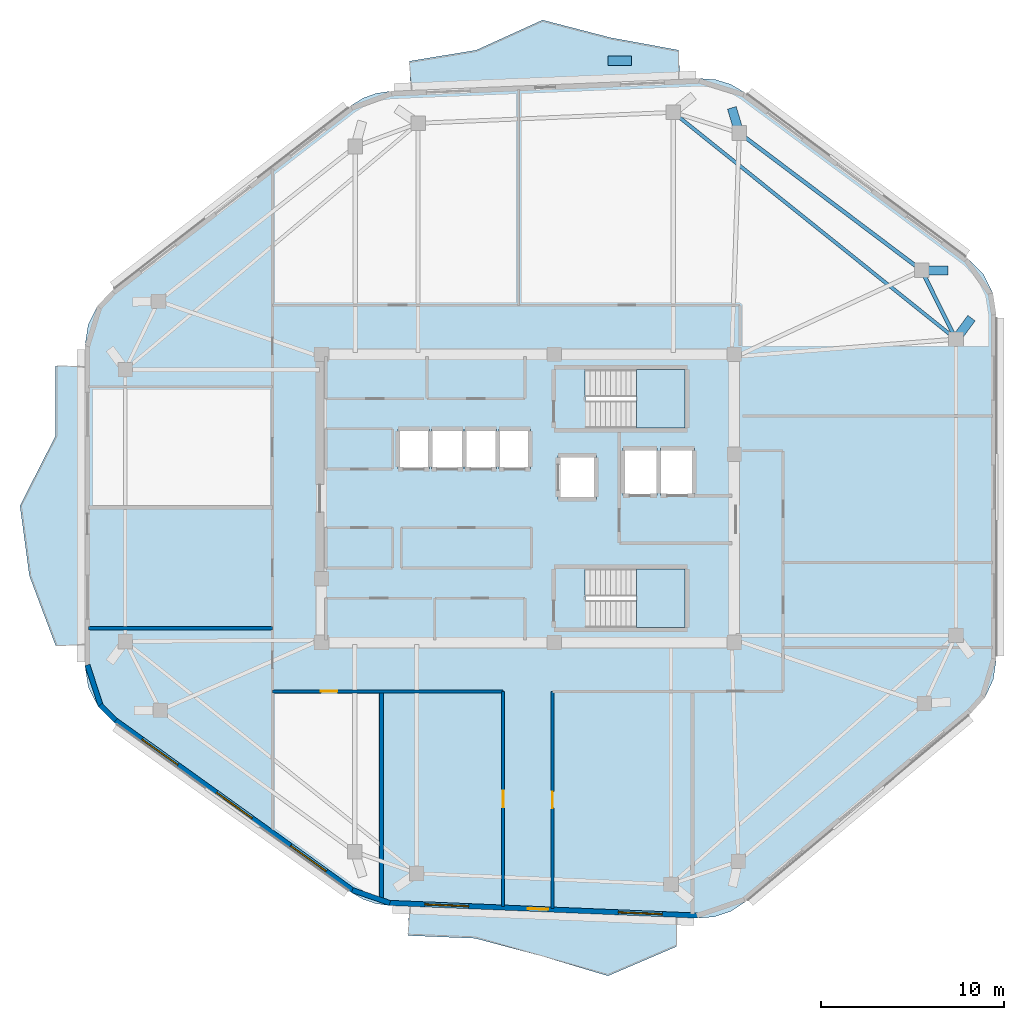
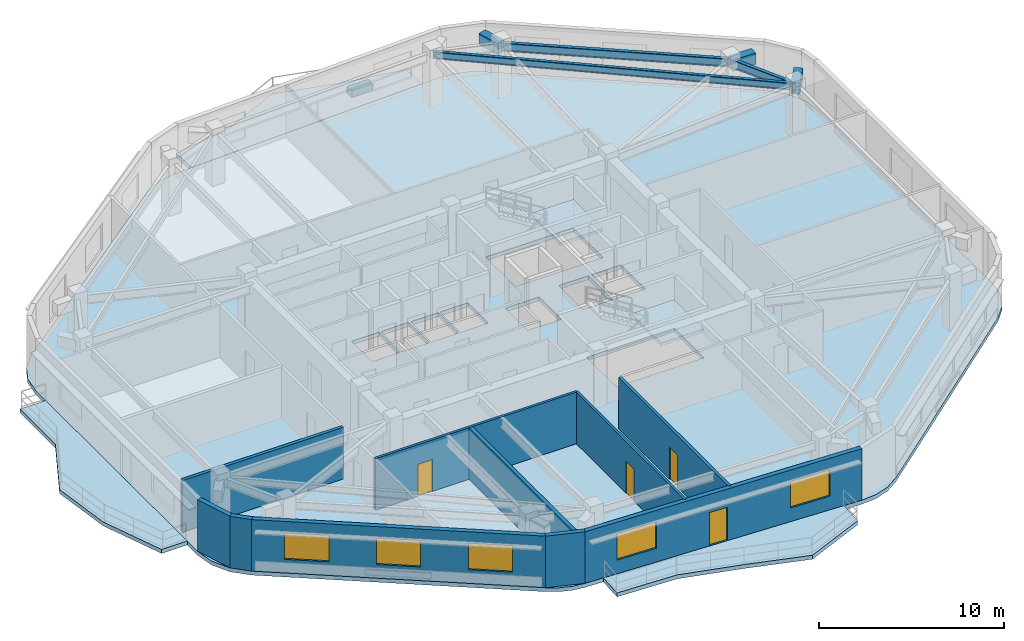
# One storey, part 2 of 9: 10 walls, 6 beams, 6 slabs, 5 windows, 4 doors, 1 plate, 9 openings, 2 elements without a shape of their own.
"""IFC4 building model written with IfcOpenShell, lengths in metres."""

from ifc_helpers import new_model, si_unit, direction, frame, frame_2d, origin, origin_2d, place, context, subcontext, project, spatial, polyline, rectangle, i_section, outline, extrude, material, layer, layer_set, material_profile, profile_set, type_object, element, fill, aggregate, save


model = new_model("IFC4")

# Units and contexts
model_context = context("Model", 3, precision=1e-05, world=origin(), true_north=direction((0.0, 1.0)))
body_context = subcontext(model_context, "Body", "Model", "MODEL_VIEW")
ifc_project = project(units=[si_unit("LENGTHUNIT", "METRE"), si_unit("AREAUNIT", "SQUARE_METRE"), si_unit("VOLUMEUNIT", "CUBIC_METRE"), si_unit("PLANEANGLEUNIT", "RADIAN"), si_unit("MASSUNIT", "GRAM", prefix="KILO")], contexts=[model_context])

# Site, building, storey
site_placement = place(None, origin())
site = spatial("IfcSite", under=ifc_project, at=site_placement, CompositionType="ELEMENT")
building_placement = place(site_placement, origin())
building = spatial("IfcBuilding", under=site, at=building_placement, Name="Zulverin Broadcast Headquarters", CompositionType="ELEMENT")
storey_placement = place(building_placement, frame((0.0, 0.0, 304.800048828125)))
storey = spatial("IfcBuildingStorey", under=building, at=storey_placement, Name="L78", CompositionType="ELEMENT", Elevation=304.800048828125)

# Beams
ifc_material_1 = material(Name="Concrete C40/50", Category="concrete")
ifc_material_profile_1 = material_profile(ifc_material_1, rectangle(XDim=0.5, YDim=0.75, at=origin_2d()), Name="Concrete C40/50", Category="concrete")
ifc_profile_set_1 = profile_set([ifc_material_profile_1], Name="Concrete C40/50")
beam_type_1 = type_object("IfcBeamType", Name="BM-RC-500x750", PredefinedType="BEAM", material=ifc_profile_set_1)
beam_1_placement = place(storey_placement, frame((60.39990234375, 33.903076171875, 3.02490234375), z_axis=(0.594467864193, 0.804119368279, 0.0), x_axis=(-0.804119368279, 0.594467864193, 0.0)))
element("IfcBeam", 1, at=beam_1_placement, inside=storey, type_object=beam_type_1, Name="L79 Plate Overhang Back-Spanned Beam OVR-06", PredefinedType="BEAM", context=body_context, shape_type="SweptSolid", body=[
    extrude(rectangle(XDim=0.5, YDim=0.75, at=origin_2d()), origin(), (0.0, 0.0, 1.0), 1.429931640625),
])
for number, where, z_axis, x_axis, name in (
    (2, (58.52587890625, 37.661865234375, 3.02490234375), (0.999957515441, -0.009217771566, 0.0), (0.009217771566, 0.999957515441, 0.0), "L79 Plate Overhang Back-Spanned Beam OVR-07"),
    (3, (48.55908203125, 45.172607421875, 3.02490234375), (-0.284402179015, 0.958705064434, 0.0), (-0.958705064434, -0.284402179015, 0.0), "L79 Plate Overhang Back-Spanned Beam OVR-08"),
):
    element("IfcBeam", number, at=place(storey_placement, frame(where, z_axis=z_axis, x_axis=x_axis)), inside=storey, type_object=beam_type_1, Name=name, PredefinedType="BEAM", context=body_context, shape_type="SweptSolid", body=[
        extrude(rectangle(XDim=0.5, YDim=0.75, at=origin_2d()), origin(), (0.0, 0.0, 1.0), 1.43017578125),
    ])
ifc_material_2 = material(Name="Structural steel S355JR", Category="steel")
ifc_material_profile_2 = material_profile(ifc_material_2, i_section(OverallWidth=0.19287109375, OverallDepth=0.46728515625, WebThickness=0.011474609375, FlangeThickness=0.01953125, at=origin_2d()), Name="Structural steel S355JR", Category="steel")
ifc_profile_set_2 = profile_set([ifc_material_profile_2], Name="Structural steel S355JR")
beam_type_2 = type_object("IfcBeamType", Name="BM-UB-457", PredefinedType="JOIST", material=ifc_profile_set_2)
beam_2_placement = place(storey_placement, frame((60.39990234375, 33.903076171875, 3.166259765625), z_axis=(-0.78014690603, 0.625596359493, 0.0), x_axis=(-0.625596359493, -0.78014690603, 0.0)))
element("IfcBeam", 4, at=beam_2_placement, inside=storey, type_object=beam_type_2, Name="L78 Chordal Floor Joist J-02", PredefinedType="JOIST", context=body_context, shape_type="SweptSolid", body=[
    extrude(i_section(OverallWidth=0.19287109375, OverallDepth=0.46728515625, WebThickness=0.011474609375, FlangeThickness=0.01953125, at=origin_2d()), origin(), (0.0, 0.0, 1.0), 19.810791015625),
])
ifc_material_profile_3 = material_profile(ifc_material_2, i_section(OverallWidth=0.2119140625, OverallDepth=0.54443359375, WebThickness=0.0126953125, FlangeThickness=0.021240234375, at=origin_2d()), Name="Structural steel S355JR", Category="steel")
ifc_profile_set_3 = profile_set([ifc_material_profile_3], Name="Structural steel S355JR")
beam_type_3 = type_object("IfcBeamType", Name="BM-UB-533", PredefinedType="SPANDREL", material=ifc_profile_set_3)
beam_3_placement = place(storey_placement, frame((60.39990234375, 33.903076171875, 3.127685546875), z_axis=(-0.446190250792, 0.894938131995, 0.0), x_axis=(-0.894938131995, -0.446190250792, 0.0)))
element("IfcBeam", 5, at=beam_3_placement, inside=storey, type_object=beam_type_3, Name="L78 Perimeter Spandrel Beam SP-06", PredefinedType="SPANDREL", context=body_context, shape_type="SweptSolid", body=[
    extrude(i_section(OverallWidth=0.2119140625, OverallDepth=0.54443359375, WebThickness=0.0126953125, FlangeThickness=0.021240234375, at=origin_2d()), origin(), (0.0, 0.0, 1.0), 4.199951171875),
])
beam_4_placement = place(storey_placement, frame((58.52587890625, 37.661865234375, 3.127685546875), z_axis=(-0.798626958847, 0.60182637081, 0.0), x_axis=(-0.60182637081, -0.798626958847, 0.0)))
element("IfcBeam", 6, at=beam_4_placement, inside=storey, type_object=beam_type_3, Name="L78 Perimeter Spandrel Beam SP-07", PredefinedType="SPANDREL", context=body_context, shape_type="SweptSolid", body=[
    extrude(i_section(OverallWidth=0.2119140625, OverallDepth=0.54443359375, WebThickness=0.0126953125, FlangeThickness=0.021240234375, at=origin_2d()), origin(), (0.0, 0.0, 1.0), 12.47998046875),
])

# Plate
ifc_material_3 = material(Name="Precast concrete C45/55", Category="concrete")
ifc_layer_1 = layer(ifc_material_3, 0.449951171875, Name="Precast concrete C45/55", Category="concrete")
ifc_layer_set_1 = layer_set([ifc_layer_1], Name="Precast concrete C45/55")
plate_type = type_object("IfcPlateType", Name="PT-01_PRECAST_GFRC_TREE_PLANTER", PredefinedType="USERDEFINED", material=ifc_layer_set_1)
plate_placement = place(storey_placement, frame((42.025390625, 49.115478515625, -0.0048828125), z_axis=(0.0, 0.0, 1.0), x_axis=(1.0, 0.0, 0.0)))
element("IfcPlate", 7, at=plate_placement, inside=storey, type_object=plate_type, Name="L78 Precast GFRC Tree Planter BAL_N", ObjectType="PLANTER", PredefinedType="USERDEFINED", context=body_context, shape_type="SweptSolid", body=[
    extrude(rectangle(XDim=1.300048828125, YDim=0.5, at=origin_2d()), origin(), (0.0, 0.0, 1.0), 0.449951171875),
])

# Slabs
ifc_layer_2 = layer(ifc_material_1, 0.260009765625, Name="Concrete C40/50", Category="concrete")
ifc_layer_set_2 = layer_set([ifc_layer_2], Name="Concrete C40/50")
slab_type_1 = type_object("IfcSlabType", Name="SLB-BAL-260", PredefinedType="FLOOR", material=ifc_layer_set_2)
slab_1_placement = place(storey_placement, frame((0.0, 0.0, -0.260009765625)))
element("IfcSlab", 8, at=slab_1_placement, inside=storey, type_object=slab_type_1, Name="L78 Cantilevered Planted Balcony Slab BAL_N", PredefinedType="FLOOR", context=body_context, shape_type="SweptSolid", body=[
    extrude(outline(polyline([(30.598388671875, 47.4951171875), (45.308837890625, 48.099609375), (45.2431640625, 49.6982421875), (41.531494140625, 50.37890625), (37.807861328125, 51.34423828125), (34.19140625, 49.69970703125), (30.532470703125, 49.093505859375), (30.598388671875, 47.4951171875)])), origin(), (0.0, 0.0, 1.0), 0.260009765625),
])
slab_2_placement = place(storey_placement, frame((0.0, 0.0, -0.260009765625)))
element("IfcSlab", 9, at=slab_2_placement, inside=storey, type_object=slab_type_1, Name="L78 Cantilevered Planted Balcony Slab BAL_W", PredefinedType="FLOOR", context=body_context, shape_type="SweptSolid", body=[
    extrude(outline(polyline([(12.800048828125, 17.151611328125), (12.800048828125, 32.447998046875), (11.199951171875, 32.447998046875), (11.1982421875, 28.623779296875), (9.25, 24.7998046875), (9.7626953125, 20.975830078125), (11.199951171875, 17.151611328125), (12.800048828125, 17.151611328125)])), origin(), (0.0, 0.0, 1.0), 0.260009765625),
])
slab_3_placement = place(storey_placement, frame((0.0, 0.0, -0.260009765625)))
element("IfcSlab", 10, at=slab_3_placement, inside=storey, type_object=slab_type_1, Name="L78 Cantilevered Planted Balcony Slab BAL_S", PredefinedType="FLOOR", context=body_context, shape_type="SweptSolid", body=[
    extrude(outline(polyline([(45.185302734375, 2.305419921875), (30.521728515625, 2.908203125), (30.4560546875, 1.3095703125), (34.121826171875, 1.158935546875), (37.754150390625, 0.188232421875), (41.381591796875, -0.89501953125), (45.11962890625, 0.706787109375), (45.185302734375, 2.305419921875)])), origin(), (0.0, 0.0, 1.0), 0.260009765625),
])

# Stair, slab
stair_type = type_object("IfcStairType", Name="ST-CORE-1500", PredefinedType="HALF_TURN_STAIR", material=ifc_material_1)
stair_1_placement = place(storey_placement, origin())
stair_1 = element("IfcStair", 11, at=stair_1_placement, inside=storey, type_object=stair_type, Name="L78 Core Exit Stair ST-1", PredefinedType="HALF_TURN_STAIR")
ifc_layer_3 = layer(ifc_material_1, 0.199951171875, Name="Concrete C40/50", Category="concrete")
ifc_layer_set_3 = layer_set([ifc_layer_3], Name="Concrete C40/50")
slab_type_2 = type_object("IfcSlabType", Name="SLB-ST-LND200", PredefinedType="LANDING", material=ifc_layer_set_3)
slab_4_placement = place(storey_placement, frame((0.0, 0.0, 1.699951171875)))
slab_4 = element("IfcSlab", 12, at=slab_4_placement, type_object=slab_type_2, Name="ST-1 landing 1", PredefinedType="LANDING", context=body_context, shape_type="SweptSolid", body=[
    extrude(outline(polyline([(42.929931640625, 29.050048828125), (45.60009765625, 29.050048828125), (45.60009765625, 32.25), (42.929931640625, 32.25), (42.929931640625, 29.050048828125)])), origin(), (0.0, 0.0, 1.0), 0.199951171875),
])
aggregate(stair_1, [slab_4])

stair_2_placement = place(storey_placement, origin())
stair_2 = element("IfcStair", 13, at=stair_2_placement, inside=storey, type_object=stair_type, Name="L78 Core Exit Stair ST-2", PredefinedType="HALF_TURN_STAIR")
slab_5_placement = place(storey_placement, frame((0.0, 0.0, 1.699951171875)))
slab_5 = element("IfcSlab", 14, at=slab_5_placement, type_object=slab_type_2, Name="ST-2 landing 1", PredefinedType="LANDING", context=body_context, shape_type="SweptSolid", body=[
    extrude(outline(polyline([(42.929931640625, 18.14990234375), (45.60009765625, 18.14990234375), (45.60009765625, 21.35009765625), (42.929931640625, 21.35009765625), (42.929931640625, 18.14990234375)])), origin(), (0.0, 0.0, 1.0), 0.199951171875),
])
aggregate(stair_2, [slab_5])

# Slab
ifc_layer_4 = layer(ifc_material_1, 0.260009765625, Name="Concrete C40/50", Category="concrete")
ifc_layer_set_4 = layer_set([ifc_layer_4], Name="Concrete C40/50")
slab_type_3 = type_object("IfcSlabType", Name="SLB-TWR-260", PredefinedType="FLOOR", material=ifc_layer_set_4)
slab_6_placement = place(storey_placement, frame((0.0, 0.0, -0.260009765625)))
element("IfcSlab", 15, at=slab_6_placement, inside=storey, type_object=slab_type_3, Name="L78 Main Structural Floor Slab", PredefinedType="FLOOR", context=body_context, shape_type="SweptSolid", body=[
    extrude(outline(polyline([(27.364990234375, 3.66162109375), (28.00048828125, 3.293212890625), (28.695068359375, 3.05419921875), (29.422607421875, 2.953369140625), (46.284423828125, 2.26025390625), (47.21337890625, 2.33642578125), (48.095703125, 2.63671875), (48.878662109375, 3.142333984375), (61.238037109375, 13.480712890625), (61.97265625, 14.30419921875), (62.439697265625, 15.3037109375), (62.60009765625, 16.3955078125), (62.60009765625, 35.25), (62.418212890625, 36.4111328125), (61.890625, 37.4609375), (61.0673828125, 38.299560546875), (48.831298828125, 47.3974609375), (48.087646484375, 47.8291015625), (47.265869140625, 48.08251953125), (46.407958984375, 48.144775390625), (29.499267578125, 47.44970703125), (28.726318359375, 47.337646484375), (27.992919921875, 47.070068359375), (27.329345703125, 46.657958984375), (14.274169921875, 36.552978515625), (13.481201171875, 35.71875), (12.974365234375, 34.685546875), (12.800048828125, 33.548095703125), (12.800048828125, 16.0517578125), (12.988525390625, 14.86962890625), (13.535400390625, 13.804931640625), (14.386474609375, 12.963134765625), (27.364990234375, 3.66162109375)]), holes=[polyline([(40.155029296875, 30.75), (40.130126953125, 30.75), (40.130126953125, 32.25), (45.60009765625, 32.25), (45.60009765625, 29.050048828125), (40.155029296875, 29.050048828125), (40.155029296875, 30.75)]), polyline([(40.155029296875, 19.85009765625), (40.130126953125, 19.85009765625), (40.130126953125, 21.35009765625), (45.60009765625, 21.35009765625), (45.60009765625, 18.14990234375), (40.155029296875, 18.14990234375), (40.155029296875, 19.85009765625)]), polyline([(29.89990234375, 26.800048828125), (31.6201171875, 26.800048828125), (31.6201171875, 29.0), (29.89990234375, 29.0), (29.89990234375, 26.800048828125)]), polyline([(31.739990234375, 26.800048828125), (33.4599609375, 26.800048828125), (33.4599609375, 29.0), (31.739990234375, 29.0), (31.739990234375, 26.800048828125)]), polyline([(33.580078125, 26.800048828125), (35.300048828125, 26.800048828125), (35.300048828125, 29.0), (33.580078125, 29.0), (33.580078125, 26.800048828125)]), polyline([(35.419921875, 26.800048828125), (37.139892578125, 26.800048828125), (37.139892578125, 29.0), (35.419921875, 29.0), (35.419921875, 26.800048828125)]), polyline([(42.199951171875, 25.35009765625), (44.050048828125, 25.35009765625), (44.050048828125, 27.949951171875), (42.199951171875, 27.949951171875), (42.199951171875, 25.35009765625)]), polyline([(44.25, 25.35009765625), (46.10009765625, 25.35009765625), (46.10009765625, 27.949951171875), (44.25, 27.949951171875), (44.25, 25.35009765625)]), polyline([(38.64990234375, 25.14990234375), (40.75, 25.14990234375), (40.75, 27.550048828125), (38.64990234375, 27.550048828125), (38.64990234375, 25.14990234375)])]), origin(), (0.0, 0.0, 1.0), 0.260009765625),
])

# Walls
ifc_material_4 = material(Name="Acoustic drywall steel stud", Category="steel")
ifc_layer_5 = layer(ifc_material_4, 0.199951171875, Name="Acoustic drywall steel stud", Category="steel")
ifc_layer_set_5 = layer_set([ifc_layer_5], Name="Acoustic drywall steel stud")
wall_type_1 = type_object("IfcWallType", Name="WL-ACOU-200", PredefinedType="PARTITIONING", material=ifc_layer_set_5)
wall_1_placement = place(storey_placement, frame((13.0048828125, 18.10009765625, 0.0), z_axis=(0.0, 0.0, 1.0), x_axis=(1.0, 0.0, 0.0)))
element("IfcWall", 16, at=wall_1_placement, inside=storey, type_object=wall_type_1, Name="L78 Room Partition Wall RP-12", PredefinedType="PARTITIONING", context=body_context, shape_type="SweptSolid", body=[
    extrude(rectangle(XDim=10.045166015625, YDim=0.199951171875, at=frame_2d((5.0224609375, 0.0))), origin(), (0.0, 0.0, 1.0), 3.39990234375),
])
ifc_material_5 = material(Name="Double-stud acoustic drywall", Category="gypsum")
ifc_layer_6 = layer(ifc_material_5, 0.219970703125, Name="Double-stud acoustic drywall", Category="gypsum")
ifc_layer_set_6 = layer_set([ifc_layer_6], Name="Double-stud acoustic drywall")
wall_type_2 = type_object("IfcWallType", Name="WL-ACOU-220", PredefinedType="PARTITIONING", material=ifc_layer_set_6)
wall_2_placement = place(storey_placement, frame((29.0, 3.217041015625, 0.0), z_axis=(0.0, 0.0, 1.0), x_axis=(0.0, 1.0, 0.0)))
element("IfcWall", 17, at=wall_2_placement, inside=storey, type_object=wall_type_2, Name="L78 Room Partition Wall RP-07", PredefinedType="PARTITIONING", context=body_context, shape_type="SweptSolid", body=[
    extrude(rectangle(XDim=11.432861328125, YDim=0.219970703125, at=frame_2d((5.71630859375, 0.0))), origin(), (0.0, 0.0, 1.0), 3.39990234375),
])

# Wall, openings, door, windows
ifc_material_6 = material(Name="Insulated pale-metal clad concrete spandrel C40/50", Category="concrete")
ifc_layer_7 = layer(ifc_material_6, 0.280029296875, Name="Insulated pale-metal clad concrete spandrel C40/50", Category="concrete")
ifc_layer_set_7 = layer_set([ifc_layer_7], Name="Insulated pale-metal clad concrete spandrel C40/50")
wall_type_3 = type_object("IfcWallType", Name="WL-EXT-280", PredefinedType="STANDARD", material=ifc_layer_set_7)
wall_3_placement = place(storey_placement, frame((29.42822265625, 3.09326171875, 0.0), z_axis=(0.0, 0.0, 1.0), x_axis=(0.999156257967, -0.041070331944, 0.0)))
wall_3 = element("IfcWall", 18, at=wall_3_placement, inside=storey, type_object=wall_type_3, Name="L78 Pale-Metal Clad Spandrel Wall 1", PredefinedType="STANDARD", context=body_context, shape_type="SweptSolid", body=[
    extrude(rectangle(XDim=16.876220703125, YDim=0.280029296875, at=frame_2d((8.43798828125, 0.0))), origin(), (0.0, 0.0, 1.0), 3.39990234375),
])
opening_1_placement = place(wall_3_placement, frame((7.588134765625, 0.0, 0.0)))
opening_1 = element("IfcOpeningElement", 19, at=opening_1_placement, cuts=wall_3, Name="Opening D-L78-TR1", PredefinedType="OPENING", context=body_context, shape_type="SweptSolid", body=[
    extrude(rectangle(XDim=1.10009765625, YDim=2.199951171875, at=frame_2d((0.550048828125, 1.10009765625))), frame((0.0, 0.14990234375, 0.0), z_axis=(0.0, -1.0, 0.0), x_axis=(1.0, 0.0, 0.0)), (0.0, 0.0, 1.0), 0.300048828125),
])
opening_2_placement = place(wall_3_placement, frame((1.946044921875, 0.0, 0.89990234375)))
opening_2 = element("IfcOpeningElement", 20, at=opening_2_placement, cuts=wall_3, Name="Opening W-L78-E11", PredefinedType="OPENING", context=body_context, shape_type="SweptSolid", body=[
    extrude(rectangle(XDim=2.39990234375, YDim=1.75, at=frame_2d((1.199951171875, 0.875))), frame((0.0, 0.14990234375, 0.0), z_axis=(0.0, -1.0, 0.0), x_axis=(1.0, 0.0, 0.0)), (0.0, 0.0, 1.0), 0.300048828125),
])
opening_3_placement = place(wall_3_placement, frame((12.530029296875, 0.0, 0.89990234375)))
opening_3 = element("IfcOpeningElement", 21, at=opening_3_placement, cuts=wall_3, Name="Opening W-L78-E12", PredefinedType="OPENING", context=body_context, shape_type="SweptSolid", body=[
    extrude(rectangle(XDim=2.39990234375, YDim=1.75, at=frame_2d((1.199951171875, 0.875))), frame((0.0, 0.14990234375, 0.0), z_axis=(0.0, -1.0, 0.0), x_axis=(1.0, 0.0, 0.0)), (0.0, 0.0, 1.0), 0.300048828125),
])
ifc_material_7 = material(Name="Thermally broken aluminium glazed", Category="aluminium")
door_type_1 = type_object("IfcDoorType", Name="DR-TERR-1100", OperationType="SINGLE_SWING_RIGHT", PredefinedType="DOOR", material=ifc_material_7)
door_1_placement = place(opening_1_placement, origin())
door_1 = element("IfcDoor", 22, at=door_1_placement, inside=storey, type_object=door_type_1, Name="L78 Planted Terrace Glazed Access Door 1", OperationType="SINGLE_SWING_RIGHT", OverallHeight=2.199951171875, OverallWidth=1.10009765625, PredefinedType="DOOR", context=body_context, shape_type="SweptSolid", body=[
    extrude(rectangle(XDim=1.10009765625, YDim=2.199951171875, at=frame_2d((0.550048828125, 1.10009765625))), frame((0.0, 0.02490234375, 0.0), z_axis=(0.0, -1.0, 0.0), x_axis=(1.0, 0.0, 0.0)), (0.0, 0.0, 1.0), 0.050048828125),
])
fill(opening_1, door_1)
ifc_material_8 = material(Name="Pale anodized aluminium frame with solar-control low-E double glazing", Category="aluminium")
window_type = type_object("IfcWindowType", Name="WIN-RIB-2400", PartitioningType="SINGLE_PANEL", PredefinedType="WINDOW", material=ifc_material_8)
window_1_placement = place(opening_2_placement, origin())
window_1 = element("IfcWindow", 23, at=window_1_placement, inside=storey, type_object=window_type, Name="L78 Ribbon Glazing Window 1 1", OverallHeight=1.75, OverallWidth=2.39990234375, PartitioningType="SINGLE_PANEL", PredefinedType="WINDOW", context=body_context, shape_type="SweptSolid", body=[
    extrude(rectangle(XDim=2.39990234375, YDim=1.75, at=frame_2d((1.199951171875, 0.875))), frame((0.0, 0.030029296875, 0.0), z_axis=(0.0, -1.0, 0.0), x_axis=(1.0, 0.0, 0.0)), (0.0, 0.0, 1.0), 0.06005859375),
])
fill(opening_2, window_1)
window_2_placement = place(opening_3_placement, origin())
window_2 = element("IfcWindow", 24, at=window_2_placement, inside=storey, type_object=window_type, Name="L78 Ribbon Glazing Window 1 2", OverallHeight=1.75, OverallWidth=2.39990234375, PartitioningType="SINGLE_PANEL", PredefinedType="WINDOW", context=body_context, shape_type="SweptSolid", body=[
    extrude(rectangle(XDim=2.39990234375, YDim=1.75, at=frame_2d((1.199951171875, 0.875))), frame((0.0, 0.030029296875, 0.0), z_axis=(0.0, -1.0, 0.0), x_axis=(1.0, 0.0, 0.0)), (0.0, 0.0, 1.0), 0.06005859375),
])
fill(opening_3, window_2)

# Wall, openings, windows
wall_4_placement = place(storey_placement, frame((14.468017578125, 13.076904296875, 0.0), z_axis=(0.0, 0.0, 1.0), x_axis=(0.812809888039, -0.582529042972, 0.0)))
wall_4 = element("IfcWall", 25, at=wall_4_placement, inside=storey, type_object=wall_type_3, Name="L78 Pale-Metal Clad Spandrel Wall 8", PredefinedType="STANDARD", context=body_context, shape_type="SweptSolid", body=[
    extrude(rectangle(XDim=15.967529296875, YDim=0.280029296875, at=frame_2d((7.98388671875, 0.0))), origin(), (0.0, 0.0, 1.0), 3.39990234375),
])
opening_4_placement = place(wall_4_placement, frame((1.794677734375, 0.0, 0.89990234375)))
opening_4 = element("IfcOpeningElement", 26, at=opening_4_placement, cuts=wall_4, Name="Opening W-L78-E81", PredefinedType="OPENING", context=body_context, shape_type="SweptSolid", body=[
    extrude(rectangle(XDim=2.39990234375, YDim=1.75, at=frame_2d((1.199951171875, 0.875))), frame((0.0, 0.14990234375, 0.0), z_axis=(0.0, -1.0, 0.0), x_axis=(1.0, 0.0, 0.0)), (0.0, 0.0, 1.0), 0.300048828125),
])
opening_5_placement = place(wall_4_placement, frame((6.78369140625, 0.0, 0.89990234375)))
opening_5 = element("IfcOpeningElement", 27, at=opening_5_placement, cuts=wall_4, Name="Opening W-L78-E82", PredefinedType="OPENING", context=body_context, shape_type="SweptSolid", body=[
    extrude(rectangle(XDim=2.39990234375, YDim=1.75, at=frame_2d((1.199951171875, 0.875))), frame((0.0, 0.14990234375, 0.0), z_axis=(0.0, -1.0, 0.0), x_axis=(1.0, 0.0, 0.0)), (0.0, 0.0, 1.0), 0.300048828125),
])
opening_6_placement = place(wall_4_placement, frame((11.77294921875, 0.0, 0.89990234375)))
opening_6 = element("IfcOpeningElement", 28, at=opening_6_placement, cuts=wall_4, Name="Opening W-L78-E83", PredefinedType="OPENING", context=body_context, shape_type="SweptSolid", body=[
    extrude(rectangle(XDim=2.39990234375, YDim=1.75, at=frame_2d((1.199951171875, 0.875))), frame((0.0, 0.14990234375, 0.0), z_axis=(0.0, -1.0, 0.0), x_axis=(1.0, 0.0, 0.0)), (0.0, 0.0, 1.0), 0.300048828125),
])
window_3_placement = place(opening_4_placement, origin())
window_3 = element("IfcWindow", 29, at=window_3_placement, inside=storey, type_object=window_type, Name="L78 Ribbon Glazing Window 8 1", OverallHeight=1.75, OverallWidth=2.39990234375, PartitioningType="SINGLE_PANEL", PredefinedType="WINDOW", context=body_context, shape_type="SweptSolid", body=[
    extrude(rectangle(XDim=2.39990234375, YDim=1.75, at=frame_2d((1.199951171875, 0.875))), frame((0.0, 0.030029296875, 0.0), z_axis=(0.0, -1.0, 0.0), x_axis=(1.0, 0.0, 0.0)), (0.0, 0.0, 1.0), 0.06005859375),
])
fill(opening_4, window_3)
window_4_placement = place(opening_5_placement, origin())
window_4 = element("IfcWindow", 30, at=window_4_placement, inside=storey, type_object=window_type, Name="L78 Ribbon Glazing Window 8 2", OverallHeight=1.75, OverallWidth=2.39990234375, PartitioningType="SINGLE_PANEL", PredefinedType="WINDOW", context=body_context, shape_type="SweptSolid", body=[
    extrude(rectangle(XDim=2.39990234375, YDim=1.75, at=frame_2d((1.199951171875, 0.875))), frame((0.0, 0.030029296875, 0.0), z_axis=(0.0, -1.0, 0.0), x_axis=(1.0, 0.0, 0.0)), (0.0, 0.0, 1.0), 0.06005859375),
])
fill(opening_5, window_4)
window_5_placement = place(opening_6_placement, origin())
window_5 = element("IfcWindow", 31, at=window_5_placement, inside=storey, type_object=window_type, Name="L78 Ribbon Glazing Window 8 3", OverallHeight=1.75, OverallWidth=2.39990234375, PartitioningType="SINGLE_PANEL", PredefinedType="WINDOW", context=body_context, shape_type="SweptSolid", body=[
    extrude(rectangle(XDim=2.39990234375, YDim=1.75, at=frame_2d((1.199951171875, 0.875))), frame((0.0, 0.030029296875, 0.0), z_axis=(0.0, -1.0, 0.0), x_axis=(1.0, 0.0, 0.0)), (0.0, 0.0, 1.0), 0.06005859375),
])
fill(opening_6, window_5)

# Walls
wall_5_placement = place(storey_placement, frame((12.93310546875, 16.09521484375, 0.0), z_axis=(0.0, 0.0, 1.0), x_axis=(0.3110492363, -0.950393798695, 0.0)))
element("IfcWall", 32, at=wall_5_placement, inside=storey, type_object=wall_type_3, Name="L78 Wind-Shaped Corner Spandrel Wall 7-1", PredefinedType="STANDARD", context=body_context, shape_type="SweptSolid", body=[
    extrude(rectangle(XDim=2.364013671875, YDim=0.280029296875, at=frame_2d((1.18212890625, 0.0))), origin(), (0.0, 0.0, 1.0), 3.39990234375),
])
wall_6_placement = place(storey_placement, frame((13.6337890625, 13.904296875, 0.0), z_axis=(0.0, 0.0, 1.0), x_axis=(0.710971221429, -0.703221104845, 0.0)))
element("IfcWall", 33, at=wall_6_placement, inside=storey, type_object=wall_type_3, Name="L78 Wind-Shaped Corner Spandrel Wall 7-2", PredefinedType="STANDARD", context=body_context, shape_type="SweptSolid", body=[
    extrude(rectangle(XDim=1.197021484375, YDim=0.280029296875, at=frame_2d((0.5986328125, 0.0))), origin(), (0.0, 0.0, 1.0), 3.39990234375),
])
wall_7_placement = place(storey_placement, frame((27.41064453125, 3.7939453125, 0.0), z_axis=(0.0, 0.0, 1.0), x_axis=(0.945552869008, -0.325468542121, 0.0)))
element("IfcWall", 34, at=wall_7_placement, inside=storey, type_object=wall_type_3, Name="L78 Wind-Shaped Corner Spandrel Wall 8-1", PredefinedType="STANDARD", context=body_context, shape_type="SweptSolid", body=[
    extrude(rectangle(XDim=2.176025390625, YDim=0.280029296875, at=frame_2d((1.087890625, 0.0))), origin(), (0.0, 0.0, 1.0), 3.39990234375),
])

# Wall, opening, door
ifc_material_9 = material(Name="Fire-rated gypsum stud partition", Category="gypsum")
ifc_layer_8 = layer(ifc_material_9, 0.14990234375, Name="Fire-rated gypsum stud partition", Category="gypsum")
ifc_layer_set_8 = layer_set([ifc_layer_8], Name="Fire-rated gypsum stud partition")
wall_type_4 = type_object("IfcWallType", Name="WL-PART-150", PredefinedType="PARTITIONING", material=ifc_layer_set_8)
wall_8_placement = place(storey_placement, frame((35.64990234375, 2.90234375, 0.0), z_axis=(0.0, 0.0, 1.0), x_axis=(0.0, 1.0, 0.0)))
wall_8 = element("IfcWall", 35, at=wall_8_placement, inside=storey, type_object=wall_type_4, Name="L78 Gallery Partition Wall CG-06", PredefinedType="PARTITIONING", context=body_context, shape_type="SweptSolid", body=[
    extrude(rectangle(XDim=11.74755859375, YDim=0.14990234375, at=frame_2d((5.873779296875, 0.0))), origin(), (0.0, 0.0, 1.0), 3.39990234375),
])
opening_7_placement = place(wall_8_placement, frame((5.423828125, 0.0, 0.0)))
opening_7 = element("IfcOpeningElement", 36, at=opening_7_placement, cuts=wall_8, Name="Opening D-L78-04", PredefinedType="OPENING", context=body_context, shape_type="SweptSolid", body=[
    extrude(rectangle(XDim=0.89990234375, YDim=2.10009765625, at=frame_2d((0.449951171875, 1.050048828125))), frame((0.0, 0.0849609375, 0.0), z_axis=(0.0, -1.0, 0.0), x_axis=(1.0, 0.0, 0.0)), (0.0, 0.0, 1.0), 0.169921875),
])
ifc_material_10 = material(Name="Fire-rated hardwood veneer timber leaf", Category="wood")
door_type_2 = type_object("IfcDoorType", Name="DR-ROOM-900", OperationType="SINGLE_SWING_RIGHT", PredefinedType="DOOR", material=ifc_material_10)
door_2_placement = place(opening_7_placement, origin())
door_2 = element("IfcDoor", 37, at=door_2_placement, inside=storey, type_object=door_type_2, Name="L78 Executive Screening Suite Door", OperationType="SINGLE_SWING_LEFT", OverallHeight=2.10009765625, OverallWidth=0.89990234375, PredefinedType="DOOR", context=body_context, shape_type="SweptSolid", body=[
    extrude(rectangle(XDim=0.89990234375, YDim=2.10009765625, at=frame_2d((0.449951171875, 1.050048828125))), frame((0.0, 0.02490234375, 0.0), z_axis=(0.0, -1.0, 0.0), x_axis=(1.0, 0.0, 0.0)), (0.0, 0.0, 1.0), 0.050048828125),
])
fill(opening_7, door_2)

wall_9_placement = place(storey_placement, frame((23.050048828125, 14.64990234375, 0.0), z_axis=(0.0, 0.0, 1.0), x_axis=(1.0, 0.0, 0.0)))
wall_9 = element("IfcWall", 38, at=wall_9_placement, inside=storey, type_object=wall_type_4, Name="L78 Gallery Partition Wall CG-09", PredefinedType="PARTITIONING", context=body_context, shape_type="SweptSolid", body=[
    extrude(rectangle(XDim=12.599853515625, YDim=0.14990234375, at=frame_2d((6.2998046875, 0.0))), origin(), (0.0, 0.0, 1.0), 3.39990234375),
])
opening_8_placement = place(wall_9_placement, frame((2.64501953125, 0.0, 0.0)))
opening_8 = element("IfcOpeningElement", 39, at=opening_8_placement, cuts=wall_9, Name="Opening D-L78-03", PredefinedType="OPENING", context=body_context, shape_type="SweptSolid", body=[
    extrude(rectangle(XDim=0.89990234375, YDim=2.10009765625, at=frame_2d((0.449951171875, 1.050048828125))), frame((0.0, 0.0849609375, 0.0), z_axis=(0.0, -1.0, 0.0), x_axis=(1.0, 0.0, 0.0)), (0.0, 0.0, 1.0), 0.169921875),
])
door_3_placement = place(opening_8_placement, origin())
door_3 = element("IfcDoor", 40, at=door_3_placement, inside=storey, type_object=door_type_2, Name="L78 Broadcast Heritage Museum Door", OperationType="SINGLE_SWING_RIGHT", OverallHeight=2.10009765625, OverallWidth=0.89990234375, PredefinedType="DOOR", context=body_context, shape_type="SweptSolid", body=[
    extrude(rectangle(XDim=0.89990234375, YDim=2.10009765625, at=frame_2d((0.449951171875, 1.050048828125))), frame((0.0, 0.02490234375, 0.0), z_axis=(0.0, -1.0, 0.0), x_axis=(1.0, 0.0, 0.0)), (0.0, 0.0, 1.0), 0.050048828125),
])
fill(opening_8, door_3)

ifc_material_11 = material(Name="Fire-rated acoustic stud wall", Category="gypsum")
ifc_layer_9 = layer(ifc_material_11, 0.175048828125, Name="Fire-rated acoustic stud wall", Category="gypsum")
ifc_layer_set_9 = layer_set([ifc_layer_9], Name="Fire-rated acoustic stud wall")
wall_type_5 = type_object("IfcWallType", Name="WL-PART-175", PredefinedType="PARTITIONING", material=ifc_layer_set_9)
wall_10_placement = place(storey_placement, frame((38.35009765625, 2.79150390625, 0.0), z_axis=(0.0, 0.0, 1.0), x_axis=(0.0, 1.0, 0.0)))
wall_10 = element("IfcWall", 41, at=wall_10_placement, inside=storey, type_object=wall_type_5, Name="L78 Gallery Partition Wall CG-04", PredefinedType="PARTITIONING", context=body_context, shape_type="SweptSolid", body=[
    extrude(rectangle(XDim=11.8583984375, YDim=0.175048828125, at=frame_2d((5.92919921875, 0.0))), origin(), (0.0, 0.0, 1.0), 3.39990234375),
])
opening_9_placement = place(wall_10_placement, frame((5.479248046875, 0.0, 0.0)))
opening_9 = element("IfcOpeningElement", 42, at=opening_9_placement, cuts=wall_10, Name="Opening D-L78-05", PredefinedType="OPENING", context=body_context, shape_type="SweptSolid", body=[
    extrude(rectangle(XDim=0.89990234375, YDim=2.10009765625, at=frame_2d((0.449951171875, 1.050048828125))), frame((0.0, 0.097412109375, 0.0), z_axis=(0.0, -1.0, 0.0), x_axis=(1.0, 0.0, 0.0)), (0.0, 0.0, 1.0), 0.195068359375),
])
door_4_placement = place(opening_9_placement, origin())
door_4 = element("IfcDoor", 43, at=door_4_placement, inside=storey, type_object=door_type_2, Name="L78 Executive Fitness Gym Door", OperationType="SINGLE_SWING_RIGHT", OverallHeight=2.10009765625, OverallWidth=0.89990234375, PredefinedType="DOOR", context=body_context, shape_type="SweptSolid", body=[
    extrude(rectangle(XDim=0.89990234375, YDim=2.10009765625, at=frame_2d((0.449951171875, 1.050048828125))), frame((0.0, 0.02490234375, 0.0), z_axis=(0.0, -1.0, 0.0), x_axis=(1.0, 0.0, 0.0)), (0.0, 0.0, 1.0), 0.050048828125),
])
fill(opening_9, door_4)

save(model, "model.ifc")
